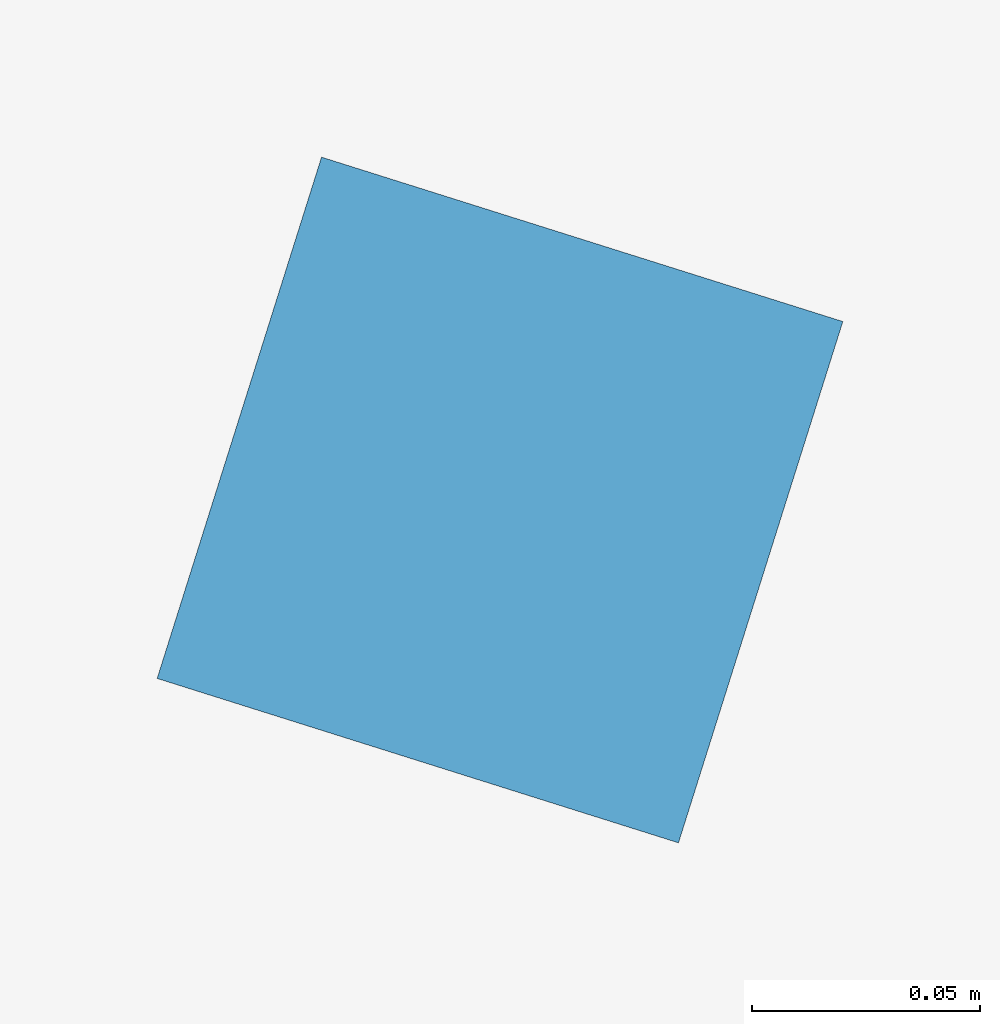
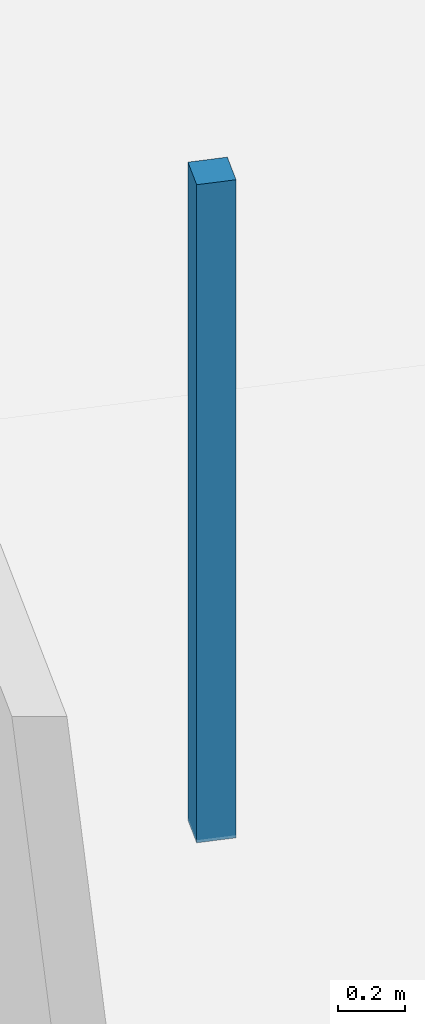
# One storey, part 23 of 28: 1 discrete accessory.
"""IFC4 building model written with IfcOpenShell, lengths in metres."""

from ifc_helpers import new_model, si_unit, direction, frame, origin, origin_2d, place, context, subcontext, project, spatial, rectangle, extrude, source, transform, mapped, material, type_object, element, save


model = new_model("IFC4")

# Units and contexts
model_context = context("Model", 3, precision=1e-05, world=origin(), true_north=direction((0.0, 1.0)))
body_context = subcontext(model_context, "Body", "Model", "MODEL_VIEW")
ifc_project = project(units=[si_unit("LENGTHUNIT", "METRE"), si_unit("AREAUNIT", "SQUARE_METRE"), si_unit("VOLUMEUNIT", "CUBIC_METRE"), si_unit("PLANEANGLEUNIT", "RADIAN"), si_unit("MASSUNIT", "GRAM", prefix="KILO")], contexts=[model_context])

# Site, building, storey
site_placement = place(None, origin())
site = spatial("IfcSite", under=ifc_project, at=site_placement, CompositionType="ELEMENT")
building_placement = place(site_placement, origin())
building = spatial("IfcBuilding", under=site, at=building_placement, Name="Torre Montelarca", CompositionType="ELEMENT")
storey_placement = place(building_placement, frame((0.0, 0.0, 116.800048828125)))
storey = spatial("IfcBuildingStorey", under=building, at=storey_placement, Name="L26", CompositionType="ELEMENT", Elevation=116.800048828125)

# Discrete accessory
ifc_material = material(Name="Galvanized steel suspension hanger", Category="steel")
discrete_accessory_type = type_object("IfcDiscreteAccessoryType", Name="ACC-CEIL-HNG", PredefinedType="BRACKET", material=ifc_material)
shared_shape = source(origin(), body_context, "Body", "SweptSolid", [
    extrude(rectangle(XDim=0.1201171875, YDim=0.1201171875, at=origin_2d()), origin(), (0.0, 0.0, 1.0), 2.389892578125),
])
discrete_accessory_placement = place(storey_placement, frame((32.837158203125, 33.038818359375, 2.75), z_axis=(0.0, 0.0, 1.0), x_axis=(-0.953716950748, 0.300705799504, 0.0)))
element("IfcDiscreteAccessory", 1, at=discrete_accessory_placement, inside=storey, type_object=discrete_accessory_type, Name="L26 Suspended Ceiling Hanger Bracket 01", PredefinedType="BRACKET", context=body_context, shape_type="MappedRepresentation", body=[
    mapped(shared_shape, transform((0.0, 0.0, 0.0), scale=1.0)),
])

save(model, "model.ifc")
